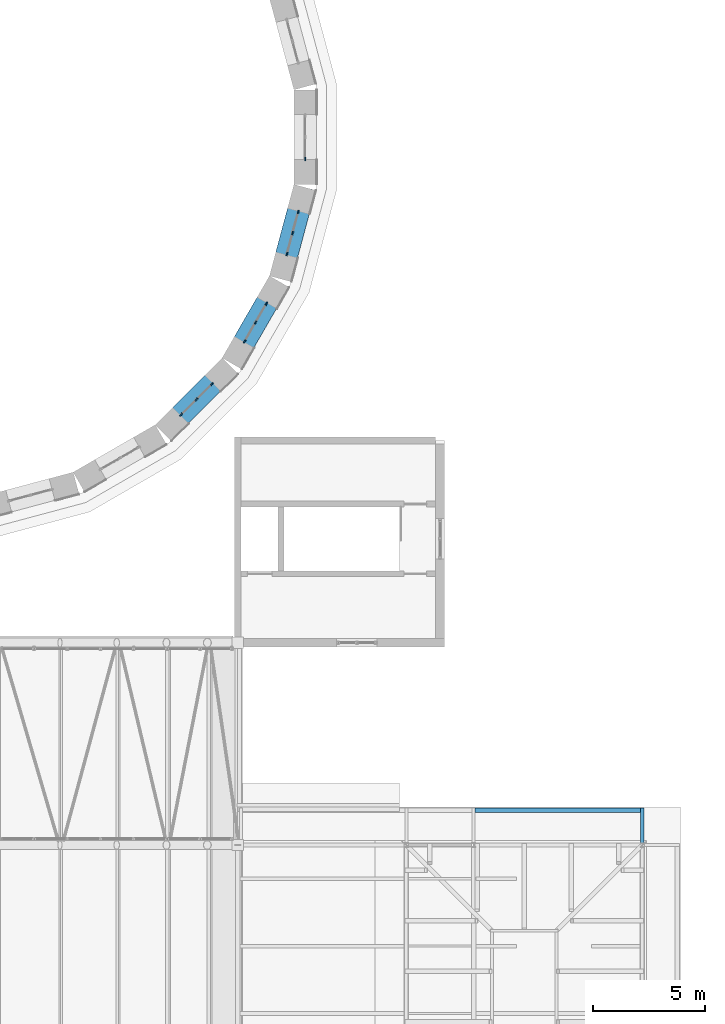
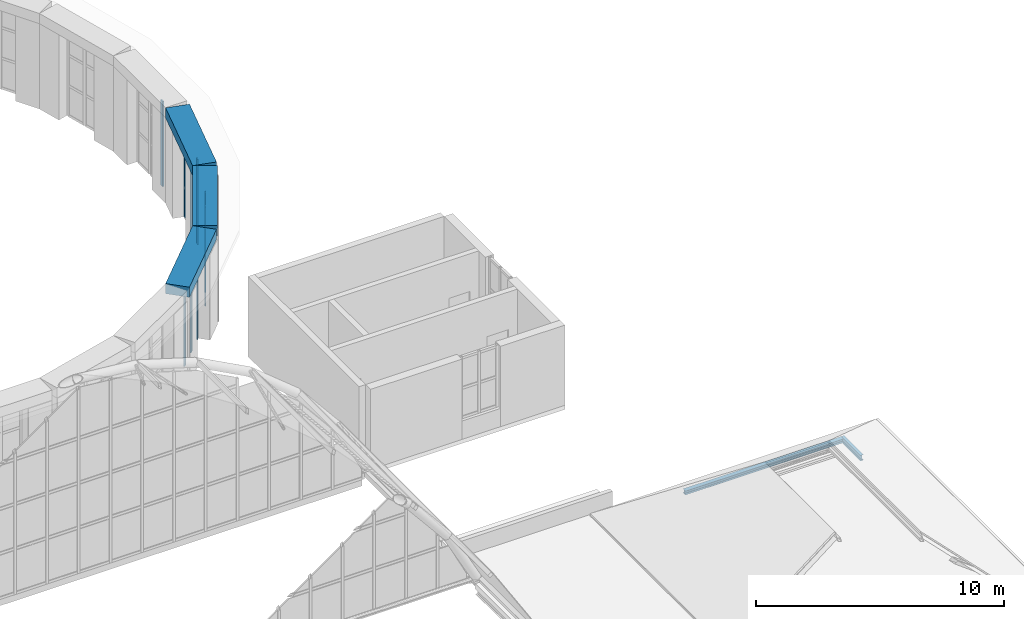
# One storey, part 59 of 121: 10 members, 5 beams, 4 elements without a shape of their own.
"""IFC4 building model written with IfcOpenShell, lengths in metres."""

from ifc_helpers import new_model, si_unit, direction, frame, origin, origin_2d, place, context, subcontext, project, spatial, rectangle, i_section, extrude, material, layer, layer_set, material_profile, profile_set, type_object, element, aggregate, save


model = new_model("IFC4")

# Units and contexts
model_context = context("Model", 3, precision=1e-05, world=origin(), true_north=direction((0.0, 1.0)))
body_context = subcontext(model_context, "Body", "Model", "MODEL_VIEW")
ifc_project = project(units=[si_unit("LENGTHUNIT", "METRE"), si_unit("AREAUNIT", "SQUARE_METRE"), si_unit("VOLUMEUNIT", "CUBIC_METRE"), si_unit("PLANEANGLEUNIT", "RADIAN"), si_unit("MASSUNIT", "GRAM", prefix="KILO")], contexts=[model_context])

# Site, building, storey
site_placement = place(None, origin())
site = spatial("IfcSite", under=ifc_project, at=site_placement, CompositionType="ELEMENT")
building_placement = place(site_placement, origin())
building = spatial("IfcBuilding", under=site, at=building_placement, Name="Golden Quay Civic Hall", CompositionType="ELEMENT")
storey_placement = place(building_placement, frame((0.0, 0.0, 18.60009765625)))
storey = spatial("IfcBuildingStorey", under=building, at=storey_placement, Name="L04", CompositionType="ELEMENT", Elevation=18.60009765625)

# Curtain wall, members
ifc_material_1 = material(Name="Glass, laminated double glazed", Category="glass")
ifc_layer = layer(ifc_material_1, 0.199951171875)
ifc_layer_set = layer_set([ifc_layer], Name="Glazed drum clerestory curtain wall")
curtain_wall_type = type_object("IfcCurtainWallType", Name="Glazed drum clerestory curtain wall", PredefinedType="NOTDEFINED", material=ifc_layer_set)
curtain_wall_1_placement = place(storey_placement, origin())
curtain_wall_1 = element("IfcCurtainWall", 1, at=curtain_wall_1_placement, inside=storey, type_object=curtain_wall_type, Name="Clerestory curtain wall 21", PredefinedType="NOTDEFINED")
ifc_material_2 = material(Name="Aluminium, anodised", Category="aluminium")
ifc_material_profile_1 = material_profile(ifc_material_2, rectangle(XDim=0.06005859375, YDim=0.159912109375, at=origin_2d()), Name="Aluminium 60 x 160")
ifc_profile_set_1 = profile_set([ifc_material_profile_1], Name="Aluminium, anodised")
member_type = type_object("IfcMemberType", Name="Aluminium mullion 60 x 160", PredefinedType="MULLION", material=ifc_profile_set_1)
member_1_placement = place(storey_placement, frame((96.4814453125, 73.146728515625, -0.2001953125), z_axis=(0.0, 0.0, 1.0), x_axis=(-0.707106781187, 0.707106781187, 0.0)))
member_1 = element("IfcMember", 2, at=member_1_placement, type_object=member_type, Name="CW5 mullion 1", PredefinedType="MULLION", context=body_context, shape_type="SweptSolid", body=[
    extrude(rectangle(XDim=0.06005859375, YDim=0.159912109375, at=origin_2d()), origin(), (0.0, 0.0, 1.0), 4.2001953125),
])
member_2_placement = place(storey_placement, frame((97.167236328125, 73.832763671875, -0.2001953125), z_axis=(0.0, 0.0, 1.0), x_axis=(-0.707106781187, 0.707106781187, 0.0)))
member_2 = element("IfcMember", 3, at=member_2_placement, type_object=member_type, Name="CW5 mullion 2", PredefinedType="MULLION", context=body_context, shape_type="SweptSolid", body=[
    extrude(rectangle(XDim=0.06005859375, YDim=0.159912109375, at=origin_2d()), origin(), (0.0, 0.0, 1.0), 4.2001953125),
])
member_3_placement = place(storey_placement, frame((97.853271484375, 74.5185546875, -0.2001953125), z_axis=(0.0, 0.0, 1.0), x_axis=(-0.707106781187, 0.707106781187, 0.0)))
member_3 = element("IfcMember", 4, at=member_3_placement, type_object=member_type, Name="CW5 mullion 3", PredefinedType="MULLION", context=body_context, shape_type="SweptSolid", body=[
    extrude(rectangle(XDim=0.06005859375, YDim=0.159912109375, at=origin_2d()), origin(), (0.0, 0.0, 1.0), 4.2001953125),
])
aggregate(curtain_wall_1, [member_1, member_2, member_3])

curtain_wall_2_placement = place(storey_placement, origin())
curtain_wall_2 = element("IfcCurtainWall", 5, at=curtain_wall_2_placement, inside=storey, type_object=curtain_wall_type, Name="Clerestory curtain wall 22", PredefinedType="NOTDEFINED")
member_4_placement = place(storey_placement, frame((99.304443359375, 76.409912109375, -0.2001953125), z_axis=(0.0, 0.0, 1.0), x_axis=(-0.866019052627, 0.500011000366, 0.0)))
member_4 = element("IfcMember", 6, at=member_4_placement, type_object=member_type, Name="CW5 mullion 1", PredefinedType="MULLION", context=body_context, shape_type="SweptSolid", body=[
    extrude(rectangle(XDim=0.06005859375, YDim=0.159912109375, at=origin_2d()), origin(), (0.0, 0.0, 1.0), 4.2001953125),
])
member_5_placement = place(storey_placement, frame((99.789306640625, 77.25, -0.2001953125), z_axis=(0.0, 0.0, 1.0), x_axis=(-0.866019052627, 0.500011000366, 0.0)))
member_5 = element("IfcMember", 7, at=member_5_placement, type_object=member_type, Name="CW5 mullion 2", PredefinedType="MULLION", context=body_context, shape_type="SweptSolid", body=[
    extrude(rectangle(XDim=0.06005859375, YDim=0.159912109375, at=origin_2d()), origin(), (0.0, 0.0, 1.0), 4.2001953125),
])
member_6_placement = place(storey_placement, frame((100.2744140625, 78.090087890625, -0.2001953125), z_axis=(0.0, 0.0, 1.0), x_axis=(-0.866019052627, 0.500011000366, 0.0)))
member_6 = element("IfcMember", 8, at=member_6_placement, type_object=member_type, Name="CW5 mullion 3", PredefinedType="MULLION", context=body_context, shape_type="SweptSolid", body=[
    extrude(rectangle(XDim=0.06005859375, YDim=0.159912109375, at=origin_2d()), origin(), (0.0, 0.0, 1.0), 4.2001953125),
])
aggregate(curtain_wall_2, [member_4, member_5, member_6])

curtain_wall_3_placement = place(storey_placement, origin())
curtain_wall_3 = element("IfcCurtainWall", 9, at=curtain_wall_3_placement, inside=storey, type_object=curtain_wall_type, Name="Clerestory curtain wall 23", PredefinedType="NOTDEFINED")
member_7_placement = place(storey_placement, frame((101.186767578125, 80.29248046875, -0.2001953125), z_axis=(0.0, 0.0, 1.0), x_axis=(-0.965928857556, 0.258807731996, 0.0)))
member_7 = element("IfcMember", 10, at=member_7_placement, type_object=member_type, Name="CW5 mullion 1", PredefinedType="MULLION", context=body_context, shape_type="SweptSolid", body=[
    extrude(rectangle(XDim=0.06005859375, YDim=0.159912109375, at=origin_2d()), origin(), (0.0, 0.0, 1.0), 4.2001953125),
])
member_8_placement = place(storey_placement, frame((101.437744140625, 81.2294921875, -0.2001953125), z_axis=(0.0, 0.0, 1.0), x_axis=(-0.965928857556, 0.258807731996, 0.0)))
member_8 = element("IfcMember", 11, at=member_8_placement, type_object=member_type, Name="CW5 mullion 2", PredefinedType="MULLION", context=body_context, shape_type="SweptSolid", body=[
    extrude(rectangle(XDim=0.06005859375, YDim=0.159912109375, at=origin_2d()), origin(), (0.0, 0.0, 1.0), 4.2001953125),
])
member_9_placement = place(storey_placement, frame((101.688720703125, 82.16650390625, -0.2001953125), z_axis=(0.0, 0.0, 1.0), x_axis=(-0.965928857556, 0.258807731996, 0.0)))
member_9 = element("IfcMember", 12, at=member_9_placement, type_object=member_type, Name="CW5 mullion 3", PredefinedType="MULLION", context=body_context, shape_type="SweptSolid", body=[
    extrude(rectangle(XDim=0.06005859375, YDim=0.159912109375, at=origin_2d()), origin(), (0.0, 0.0, 1.0), 4.2001953125),
])
aggregate(curtain_wall_3, [member_7, member_8, member_9])

# Curtain wall, member
curtain_wall_4_placement = place(storey_placement, origin())
curtain_wall_4 = element("IfcCurtainWall", 13, at=curtain_wall_4_placement, inside=storey, type_object=curtain_wall_type, Name="Clerestory curtain wall 24", PredefinedType="NOTDEFINED")
member_10_placement = place(storey_placement, frame((102.0, 84.530029296875, -0.2001953125), z_axis=(0.0, 0.0, 1.0), x_axis=(-1.0, 0.0, 0.0)))
member_10 = element("IfcMember", 14, at=member_10_placement, type_object=member_type, Name="CW5 mullion 1", PredefinedType="MULLION", context=body_context, shape_type="SweptSolid", body=[
    extrude(rectangle(XDim=0.06005859375, YDim=0.159912109375, at=origin_2d()), origin(), (0.0, 0.0, 1.0), 4.2001953125),
])
aggregate(curtain_wall_4, [member_10])

# Beams
ifc_material_3 = material(Name="Steel S355", Category="steel")
ifc_material_profile_2 = material_profile(ifc_material_3, i_section(OverallWidth=0.199951171875, OverallDepth=0.18994140625, WebThickness=0.006591796875, FlangeThickness=0.010009765625, FilletRadius=0.01806640625, at=origin_2d()), Name="HEA 200")
ifc_profile_set_2 = profile_set([ifc_material_profile_2], Name="Steel S355")
beam_type_1 = type_object("IfcBeamType", Name="Eave edge beam HEA 200", PredefinedType="BEAM", material=ifc_profile_set_2)
beam_1_placement = place(storey_placement, frame((109.5673828125, 55.550048828125, -0.34521484375), z_axis=(1.0, 0.0, 0.0), x_axis=(0.0, 1.0, 0.0)))
element("IfcBeam", 15, at=beam_1_placement, inside=storey, type_object=beam_type_1, Name="Eave edge beam HEA 200 L04 15", PredefinedType="BEAM", context=body_context, shape_type="SweptSolid", body=[
    extrude(i_section(OverallWidth=0.199951171875, OverallDepth=0.18994140625, WebThickness=0.006591796875, FlangeThickness=0.010009765625, FilletRadius=0.01806640625, at=origin_2d()), origin(), (0.0, 0.0, 1.0), 7.365234375),
])
ifc_material_4 = material(Name="Steel S355", Category="steel")
ifc_material_profile_3 = material_profile(ifc_material_4, i_section(OverallWidth=0.135009765625, OverallDepth=0.27001953125, WebThickness=0.006591796875, FlangeThickness=0.01025390625, FilletRadius=0.014892578125, at=origin_2d()), Name="IPE 270")
ifc_profile_set_3 = profile_set([ifc_material_profile_3], Name="Steel S355")
beam_type_2 = type_object("IfcBeamType", Name="Eave stub IPE 270", PredefinedType="BEAM", material=ifc_profile_set_3)
beam_2_placement = place(storey_placement, frame((117.0, 54.094970703125, -0.385009765625), z_axis=(0.0, 1.0, 0.0), x_axis=(-1.0, 0.0, 0.0)))
element("IfcBeam", 16, at=beam_2_placement, inside=storey, type_object=beam_type_2, Name="Eave stub IPE 270 L04 19", PredefinedType="BEAM", context=body_context, shape_type="SweptSolid", body=[
    extrude(i_section(OverallWidth=0.135009765625, OverallDepth=0.27001953125, WebThickness=0.006591796875, FlangeThickness=0.01025390625, FilletRadius=0.014892578125, at=origin_2d()), origin(), (0.0, 0.0, 1.0), 1.554931640625),
])
ifc_material_5 = material(Name="Concrete C40/50", Category="concrete")
ifc_material_profile_4 = material_profile(ifc_material_5, rectangle(XDim=1.0, YDim=0.5, at=origin_2d()), Name="RC 1000x500")
ifc_profile_set_4 = profile_set([ifc_material_profile_4], Name="Concrete C40/50")
beam_type_3 = type_object("IfcBeamType", Name="Reinforced concrete springing ring beam 1000x500", PredefinedType="BEAM", material=ifc_profile_set_4)
for number, where, z_axis, x_axis, name in (
    (17, (95.677734375, 72.34326171875, 4.25), (0.707106781187, 0.707106781187, 0.0), (-0.707106781187, 0.707106781187, 0.0), "Drum ring beam segment 21"),
    (18, (98.736083984375, 75.42578125, 4.25), (0.500003371769, 0.866023457084, 0.0), (-0.866023457084, 0.500003371769, 0.0), "Drum ring beam segment 22"),
    (19, (100.892578125, 79.19482421875, 4.25), (0.258809467323, 0.965928392597, 0.0), (-0.965928392597, 0.258809467323, 0.0), "Drum ring beam segment 23"),
):
    element("IfcBeam", number, at=place(storey_placement, frame(where, z_axis=z_axis, x_axis=x_axis)), inside=storey, type_object=beam_type_3, Name=name, PredefinedType="BEAM", context=body_context, shape_type="SweptSolid", body=[
        extrude(rectangle(XDim=1.0, YDim=0.5, at=origin_2d()), origin(), (0.0, 0.0, 1.0), 4.212890625),
    ])

save(model, "model.ifc")
